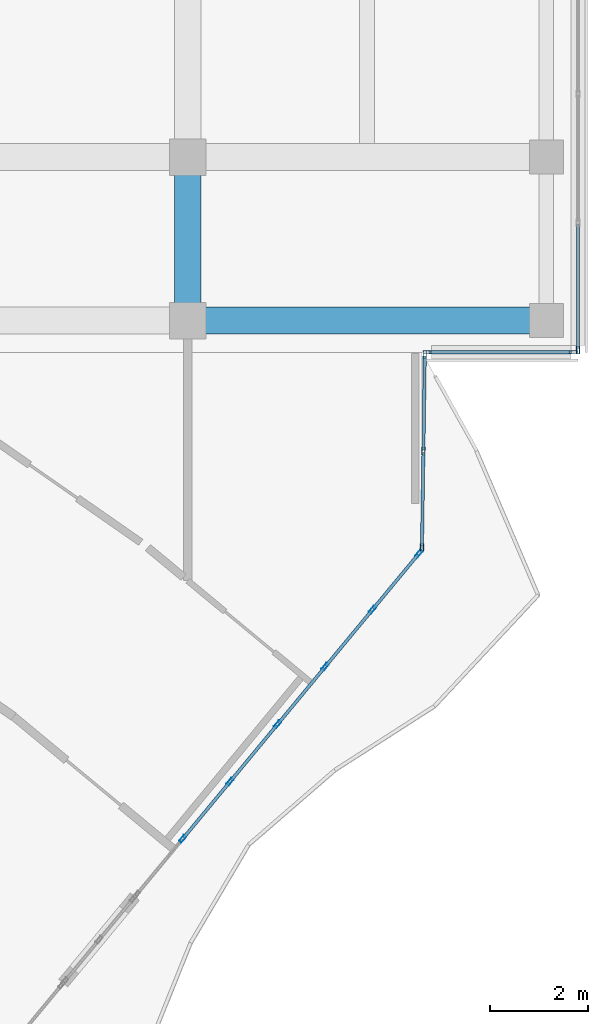
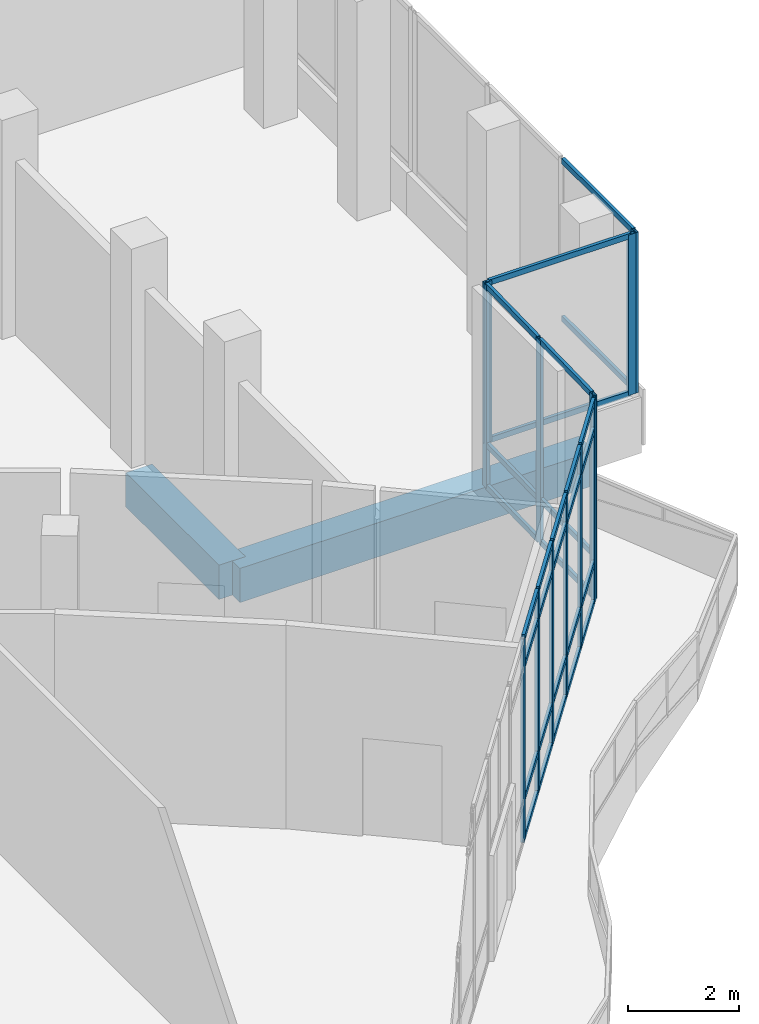
# One storey, part 100 of 155: 42 members, 2 beams, 4 elements without a shape of their own.
"""IFC4 building model written with IfcOpenShell, lengths in metres."""

from ifc_helpers import new_model, si_unit, direction, frame, origin, origin_2d, place, context, subcontext, project, spatial, rectangle, hollow_rectangle, extrude, material, material_profile, profile_set, type_object, element, aggregate, save


model = new_model("IFC4")

# Units and contexts
model_context = context("Model", 3, precision=1e-05, world=origin(), true_north=direction((0.0, 1.0)))
body_context = subcontext(model_context, "Body", "Model", "MODEL_VIEW")
ifc_project = project(units=[si_unit("LENGTHUNIT", "METRE"), si_unit("AREAUNIT", "SQUARE_METRE"), si_unit("VOLUMEUNIT", "CUBIC_METRE"), si_unit("PLANEANGLEUNIT", "RADIAN"), si_unit("MASSUNIT", "GRAM", prefix="KILO")], contexts=[model_context])

# Site, building, storey
site_placement = place(None, origin())
site = spatial("IfcSite", under=ifc_project, at=site_placement, CompositionType="ELEMENT")
building_placement = place(site_placement, origin())
building = spatial("IfcBuilding", under=site, at=building_placement, Name="Selatvlak General Hospital", CompositionType="ELEMENT")
storey_placement = place(building_placement, frame((0.0, 0.0, 10.199951171875)))
storey = spatial("IfcBuildingStorey", under=building, at=storey_placement, Name="L02", CompositionType="ELEMENT", Elevation=10.199951171875)

# Beams
ifc_material_1 = material(Name="Concrete C40/50", Category="concrete")
ifc_material_profile_1 = material_profile(ifc_material_1, rectangle(XDim=0.550048828125, YDim=0.75, at=origin_2d()), Name="RC-BM 550x750")
ifc_profile_set_1 = profile_set([ifc_material_profile_1], Name="Concrete C40/50")
beam_type = type_object("IfcBeamType", Name="BM-G02", PredefinedType="BEAM", material=ifc_profile_set_1)
beam_1_placement = place(storey_placement, frame((174.0, 64.64990234375, -0.72998046875), z_axis=(1.0, 0.0, 0.0), x_axis=(0.0, 1.0, 0.0)))
element("IfcBeam", 1, at=beam_1_placement, inside=storey, type_object=beam_type, Name="Beam BMR-L02-0776", PredefinedType="BEAM", context=body_context, shape_type="SweptSolid", body=[
    extrude(rectangle(XDim=0.550048828125, YDim=0.75, at=origin_2d()), origin(), (0.0, 0.0, 1.0), 7.35009765625),
])
beam_2_placement = place(storey_placement, frame((174.0, 64.64990234375, -0.72998046875), z_axis=(0.0, 1.0, 0.0), x_axis=(-1.0, 0.0, 0.0)))
element("IfcBeam", 2, at=beam_2_placement, inside=storey, type_object=beam_type, Name="Beam BMR-L02-1061", PredefinedType="BEAM", context=body_context, shape_type="SweptSolid", body=[
    extrude(rectangle(XDim=0.550048828125, YDim=0.75, at=origin_2d()), origin(), (0.0, 0.0, 1.0), 3.35009765625),
])

# Curtain wall, member
ifc_material_2 = material(Name="Solar-control Low-E double glazing", Category="glass")
curtain_wall_type_1 = type_object("IfcCurtainWallType", Name="CW-CW-02", PredefinedType="USERDEFINED", material=ifc_material_2)
curtain_wall_1_placement = place(storey_placement, origin())
curtain_wall_1 = element("IfcCurtainWall", 3, at=curtain_wall_1_placement, inside=storey, type_object=curtain_wall_type_1, Name="Glazed facade curtain wall CW-L02-0269", ObjectType="UNITISED CURTAIN WALL", PredefinedType="USERDEFINED")
ifc_material_3 = material(Name="Dark anodised aluminium mullion", Category="aluminium")
ifc_material_profile_2 = material_profile(ifc_material_3, hollow_rectangle(XDim=0.06494140625, YDim=0.159912109375, WallThickness=0.00390625, at=origin_2d()), Name="AL-MUL 65x160x4")
ifc_profile_set_2 = profile_set([ifc_material_profile_2], Name="Dark anodised aluminium mullion")
member_type_1 = type_object("IfcMemberType", Name="CWM-01", PredefinedType="MULLION", material=ifc_profile_set_2)
member_1_placement = place(storey_placement, frame((182.0, 64.048583984375, 0.93994140625), z_axis=(0.0, 0.0, 1.0), x_axis=(1.0, 0.0, 0.0)))
member_1 = element("IfcMember", 4, at=member_1_placement, type_object=member_type_1, Name="CW-02 mullion 4", PredefinedType="MULLION", context=body_context, shape_type="SweptSolid", body=[
    extrude(hollow_rectangle(XDim=0.06494140625, YDim=0.159912109375, WallThickness=0.00390625, at=origin_2d()), origin(), (0.0, 0.0, 1.0), 3.52001953125),
])

# Curtain wall, members
curtain_wall_2_placement = place(storey_placement, origin())
curtain_wall_2 = element("IfcCurtainWall", 5, at=curtain_wall_2_placement, inside=storey, type_object=curtain_wall_type_1, Name="Glazed facade curtain wall CW-L02-0270", ObjectType="UNITISED CURTAIN WALL", PredefinedType="USERDEFINED")
member_2_placement = place(storey_placement, frame((181.902587890625, 64.0009765625, 0.93994140625), z_axis=(0.0, 0.0, 1.0), x_axis=(0.000326797363, -0.999999946602, 0.0)))
member_2 = element("IfcMember", 6, at=member_2_placement, type_object=member_type_1, Name="CW-02 mullion 1", PredefinedType="MULLION", context=body_context, shape_type="SweptSolid", body=[
    extrude(hollow_rectangle(XDim=0.06494140625, YDim=0.159912109375, WallThickness=0.00390625, at=origin_2d()), origin(), (0.0, 0.0, 1.0), 3.52001953125),
])
member_3_placement = place(storey_placement, frame((178.907470703125, 64.0, 0.93994140625), z_axis=(0.0, 0.0, 1.0), x_axis=(0.000326797363, -0.999999946602, 0.0)))
member_3 = element("IfcMember", 7, at=member_3_placement, type_object=member_type_1, Name="CW-02 mullion 2", PredefinedType="MULLION", context=body_context, shape_type="SweptSolid", body=[
    extrude(hollow_rectangle(XDim=0.06494140625, YDim=0.159912109375, WallThickness=0.00390625, at=origin_2d()), origin(), (0.0, 0.0, 1.0), 3.52001953125),
])

curtain_wall_type_2 = type_object("IfcCurtainWallType", Name="CW-CW-01", PredefinedType="USERDEFINED", material=ifc_material_2)
curtain_wall_3_placement = place(storey_placement, origin())
curtain_wall_3 = element("IfcCurtainWall", 8, at=curtain_wall_3_placement, inside=storey, type_object=curtain_wall_type_2, Name="Glazed facade curtain wall CW-L02-0271", ObjectType="UNITISED CURTAIN WALL", PredefinedType="USERDEFINED")
member_4_placement = place(storey_placement, frame((178.859619140625, 63.952392578125, 0.0), z_axis=(0.0, 0.0, 1.0), x_axis=(0.999888635224, -0.014923710969, 0.0)))
member_4 = element("IfcMember", 9, at=member_4_placement, type_object=member_type_1, Name="CW-01 mullion 1", PredefinedType="MULLION", context=body_context, shape_type="SweptSolid", body=[
    extrude(hollow_rectangle(XDim=0.06494140625, YDim=0.159912109375, WallThickness=0.00390625, at=origin_2d()), origin(), (0.0, 0.0, 1.0), 4.4599609375),
])
member_5_placement = place(storey_placement, frame((178.830078125, 61.97509765625, 0.0), z_axis=(0.0, 0.0, 1.0), x_axis=(0.999888635224, -0.014923710969, 0.0)))
member_5 = element("IfcMember", 10, at=member_5_placement, type_object=member_type_1, Name="CW-01 mullion 2", PredefinedType="MULLION", context=body_context, shape_type="SweptSolid", body=[
    extrude(hollow_rectangle(XDim=0.06494140625, YDim=0.159912109375, WallThickness=0.00390625, at=origin_2d()), origin(), (0.0, 0.0, 1.0), 4.4599609375),
])
member_6_placement = place(storey_placement, frame((178.800537109375, 59.99755859375, 0.0), z_axis=(0.0, 0.0, 1.0), x_axis=(0.999888635224, -0.014923710969, 0.0)))
member_6 = element("IfcMember", 11, at=member_6_placement, type_object=member_type_1, Name="CW-01 mullion 3", PredefinedType="MULLION", context=body_context, shape_type="SweptSolid", body=[
    extrude(hollow_rectangle(XDim=0.06494140625, YDim=0.159912109375, WallThickness=0.00390625, at=origin_2d()), origin(), (0.0, 0.0, 1.0), 4.4599609375),
])

curtain_wall_4_placement = place(storey_placement, origin())
curtain_wall_4 = element("IfcCurtainWall", 12, at=curtain_wall_4_placement, inside=storey, type_object=curtain_wall_type_2, Name="Glazed facade curtain wall CW-L02-0273", ObjectType="UNITISED CURTAIN WALL", PredefinedType="USERDEFINED")
member_7_placement = place(storey_placement, frame((178.7373046875, 59.8740234375, 0.0), z_axis=(0.0, 0.0, 1.0), x_axis=(0.770251713592, -0.637739992245, 0.0)))
member_7 = element("IfcMember", 13, at=member_7_placement, type_object=member_type_1, Name="CW-01 mullion 1", PredefinedType="MULLION", context=body_context, shape_type="SweptSolid", body=[
    extrude(hollow_rectangle(XDim=0.06494140625, YDim=0.159912109375, WallThickness=0.00390625, at=origin_2d()), origin(), (0.0, 0.0, 1.0), 4.4599609375),
])
member_8_placement = place(storey_placement, frame((177.785888671875, 58.724853515625, 0.0), z_axis=(0.0, 0.0, 1.0), x_axis=(0.770251713592, -0.637739992245, 0.0)))
member_8 = element("IfcMember", 14, at=member_8_placement, type_object=member_type_1, Name="CW-01 mullion 2", PredefinedType="MULLION", context=body_context, shape_type="SweptSolid", body=[
    extrude(hollow_rectangle(XDim=0.06494140625, YDim=0.159912109375, WallThickness=0.00390625, at=origin_2d()), origin(), (0.0, 0.0, 1.0), 4.4599609375),
])
member_9_placement = place(storey_placement, frame((176.813720703125, 57.55078125, 0.0), z_axis=(0.0, 0.0, 1.0), x_axis=(0.770251713592, -0.637739992245, 0.0)))
member_9 = element("IfcMember", 15, at=member_9_placement, type_object=member_type_1, Name="CW-01 mullion 3", PredefinedType="MULLION", context=body_context, shape_type="SweptSolid", body=[
    extrude(hollow_rectangle(XDim=0.06494140625, YDim=0.159912109375, WallThickness=0.00390625, at=origin_2d()), origin(), (0.0, 0.0, 1.0), 4.4599609375),
])
member_10_placement = place(storey_placement, frame((175.841552734375, 56.37646484375, 0.0), z_axis=(0.0, 0.0, 1.0), x_axis=(0.770251713592, -0.637739992245, 0.0)))
member_10 = element("IfcMember", 16, at=member_10_placement, type_object=member_type_1, Name="CW-01 mullion 4", PredefinedType="MULLION", context=body_context, shape_type="SweptSolid", body=[
    extrude(hollow_rectangle(XDim=0.06494140625, YDim=0.159912109375, WallThickness=0.00390625, at=origin_2d()), origin(), (0.0, 0.0, 1.0), 4.4599609375),
])
member_11_placement = place(storey_placement, frame((174.869384765625, 55.202392578125, 0.0), z_axis=(0.0, 0.0, 1.0), x_axis=(0.770251713592, -0.637739992245, 0.0)))
member_11 = element("IfcMember", 17, at=member_11_placement, type_object=member_type_1, Name="CW-01 mullion 5", PredefinedType="MULLION", context=body_context, shape_type="SweptSolid", body=[
    extrude(hollow_rectangle(XDim=0.06494140625, YDim=0.159912109375, WallThickness=0.00390625, at=origin_2d()), origin(), (0.0, 0.0, 1.0), 4.4599609375),
])
member_12_placement = place(storey_placement, frame((173.897216796875, 54.028076171875, 0.0), z_axis=(0.0, 0.0, 1.0), x_axis=(0.770251713592, -0.637739992245, 0.0)))
member_12 = element("IfcMember", 18, at=member_12_placement, type_object=member_type_1, Name="CW-01 mullion 6", PredefinedType="MULLION", context=body_context, shape_type="SweptSolid", body=[
    extrude(hollow_rectangle(XDim=0.06494140625, YDim=0.159912109375, WallThickness=0.00390625, at=origin_2d()), origin(), (0.0, 0.0, 1.0), 4.4599609375),
])

# Member
ifc_material_profile_3 = material_profile(ifc_material_3, hollow_rectangle(XDim=0.06494140625, YDim=0.1201171875, WallThickness=0.00390625, at=origin_2d()), Name="AL-TRN 65x120x4")
ifc_profile_set_3 = profile_set([ifc_material_profile_3], Name="Dark anodised aluminium mullion")
member_type_2 = type_object("IfcMemberType", Name="CWT-01", PredefinedType="USERDEFINED", material=ifc_profile_set_3)
member_13_placement = place(storey_placement, frame((182.0, 66.62353515625, 0.97265625), z_axis=(0.0, -1.0, 0.0), x_axis=(1.0, 0.0, 0.0)))
member_13 = element("IfcMember", 19, at=member_13_placement, type_object=member_type_2, Name="CW-02 transom 3.1", ObjectType="TRANSOM", PredefinedType="USERDEFINED", context=body_context, shape_type="SweptSolid", body=[
    extrude(hollow_rectangle(XDim=0.06494140625, YDim=0.1201171875, WallThickness=0.00390625, at=origin_2d()), origin(), (0.0, 0.0, 1.0), 2.54248046875),
])

member_14_placement = place(storey_placement, frame((182.0, 66.62353515625, 4.427490234375), z_axis=(0.0, -1.0, 0.0), x_axis=(1.0, 0.0, 0.0)))
member_14 = element("IfcMember", 20, at=member_14_placement, type_object=member_type_2, Name="CW-02 transom 3.2", ObjectType="TRANSOM", PredefinedType="USERDEFINED", context=body_context, shape_type="SweptSolid", body=[
    extrude(hollow_rectangle(XDim=0.06494140625, YDim=0.1201171875, WallThickness=0.00390625, at=origin_2d()), origin(), (0.0, 0.0, 1.0), 2.54248046875),
])

aggregate(curtain_wall_1, [member_1, member_13, member_14])

member_15_placement = place(storey_placement, frame((181.8701171875, 64.0009765625, 0.97265625), z_axis=(-0.999999944463, -0.000333277769, 0.0), x_axis=(0.000333277769, -0.999999944463, 0.0)))
member_15 = element("IfcMember", 21, at=member_15_placement, type_object=member_type_2, Name="CW-02 transom 1.1", ObjectType="TRANSOM", PredefinedType="USERDEFINED", context=body_context, shape_type="SweptSolid", body=[
    extrude(hollow_rectangle(XDim=0.06494140625, YDim=0.1201171875, WallThickness=0.00390625, at=origin_2d()), origin(), (0.0, 0.0, 1.0), 2.93017578125),
])

member_16_placement = place(storey_placement, frame((181.8701171875, 64.0009765625, 4.427490234375), z_axis=(-0.999999944463, -0.000333277769, 0.0), x_axis=(0.000333277769, -0.999999944463, 0.0)))
member_16 = element("IfcMember", 22, at=member_16_placement, type_object=member_type_2, Name="CW-02 transom 1.2", ObjectType="TRANSOM", PredefinedType="USERDEFINED", context=body_context, shape_type="SweptSolid", body=[
    extrude(hollow_rectangle(XDim=0.06494140625, YDim=0.1201171875, WallThickness=0.00390625, at=origin_2d()), origin(), (0.0, 0.0, 1.0), 2.93017578125),
])

aggregate(curtain_wall_2, [member_2, member_3, member_15, member_16])

member_17_placement = place(storey_placement, frame((178.859130859375, 63.919921875, 0.032470703125), z_axis=(-0.014935139839, -0.999888464579, 0.0), x_axis=(0.999888464579, -0.014935139839, 0.0)))
member_17 = element("IfcMember", 23, at=member_17_placement, type_object=member_type_2, Name="CW-01 transom 1.1", ObjectType="TRANSOM", PredefinedType="USERDEFINED", context=body_context, shape_type="SweptSolid", body=[
    extrude(hollow_rectangle(XDim=0.06494140625, YDim=0.1201171875, WallThickness=0.00390625, at=origin_2d()), origin(), (0.0, 0.0, 1.0), 1.91259765625),
])

member_18_placement = place(storey_placement, frame((178.859130859375, 63.919921875, 0.949951171875), z_axis=(-0.014935139839, -0.999888464579, 0.0), x_axis=(0.999888464579, -0.014935139839, 0.0)))
member_18 = element("IfcMember", 24, at=member_18_placement, type_object=member_type_2, Name="CW-01 transom 1.2", ObjectType="TRANSOM", PredefinedType="USERDEFINED", context=body_context, shape_type="SweptSolid", body=[
    extrude(hollow_rectangle(XDim=0.06494140625, YDim=0.1201171875, WallThickness=0.00390625, at=origin_2d()), origin(), (0.0, 0.0, 1.0), 1.91259765625),
])

member_19_placement = place(storey_placement, frame((178.859130859375, 63.919921875, 4.427490234375), z_axis=(-0.014935139839, -0.999888464579, 0.0), x_axis=(0.999888464579, -0.014935139839, 0.0)))
member_19 = element("IfcMember", 25, at=member_19_placement, type_object=member_type_2, Name="CW-01 transom 1.3", ObjectType="TRANSOM", PredefinedType="USERDEFINED", context=body_context, shape_type="SweptSolid", body=[
    extrude(hollow_rectangle(XDim=0.06494140625, YDim=0.1201171875, WallThickness=0.00390625, at=origin_2d()), origin(), (0.0, 0.0, 1.0), 1.91259765625),
])

member_20_placement = place(storey_placement, frame((178.82958984375, 61.9423828125, 0.032470703125), z_axis=(-0.014935139839, -0.999888464579, 0.0), x_axis=(0.999888464579, -0.014935139839, 0.0)))
member_20 = element("IfcMember", 26, at=member_20_placement, type_object=member_type_2, Name="CW-01 transom 2.1", ObjectType="TRANSOM", PredefinedType="USERDEFINED", context=body_context, shape_type="SweptSolid", body=[
    extrude(hollow_rectangle(XDim=0.06494140625, YDim=0.1201171875, WallThickness=0.00390625, at=origin_2d()), origin(), (0.0, 0.0, 1.0), 1.91259765625),
])

member_21_placement = place(storey_placement, frame((178.82958984375, 61.9423828125, 0.949951171875), z_axis=(-0.014935139839, -0.999888464579, 0.0), x_axis=(0.999888464579, -0.014935139839, 0.0)))
member_21 = element("IfcMember", 27, at=member_21_placement, type_object=member_type_2, Name="CW-01 transom 2.2", ObjectType="TRANSOM", PredefinedType="USERDEFINED", context=body_context, shape_type="SweptSolid", body=[
    extrude(hollow_rectangle(XDim=0.06494140625, YDim=0.1201171875, WallThickness=0.00390625, at=origin_2d()), origin(), (0.0, 0.0, 1.0), 1.91259765625),
])

member_22_placement = place(storey_placement, frame((178.82958984375, 61.9423828125, 4.427490234375), z_axis=(-0.014935139839, -0.999888464579, 0.0), x_axis=(0.999888464579, -0.014935139839, 0.0)))
member_22 = element("IfcMember", 28, at=member_22_placement, type_object=member_type_2, Name="CW-01 transom 2.3", ObjectType="TRANSOM", PredefinedType="USERDEFINED", context=body_context, shape_type="SweptSolid", body=[
    extrude(hollow_rectangle(XDim=0.06494140625, YDim=0.1201171875, WallThickness=0.00390625, at=origin_2d()), origin(), (0.0, 0.0, 1.0), 1.91259765625),
])

aggregate(curtain_wall_3, [member_4, member_5, member_6, member_17, member_18, member_19, member_20, member_21, member_22])

member_23_placement = place(storey_placement, frame((178.716552734375, 59.848876953125, 0.032470703125), z_axis=(-0.637690265355, -0.770292882916, 0.0), x_axis=(0.770292882916, -0.637690265355, 0.0)))
member_23 = element("IfcMember", 29, at=member_23_placement, type_object=member_type_2, Name="CW-01 transom 1.1", ObjectType="TRANSOM", PredefinedType="USERDEFINED", context=body_context, shape_type="SweptSolid", body=[
    extrude(hollow_rectangle(XDim=0.06494140625, YDim=0.1201171875, WallThickness=0.00390625, at=origin_2d()), origin(), (0.0, 0.0, 1.0), 1.427001953125),
])

member_24_placement = place(storey_placement, frame((178.716552734375, 59.848876953125, 0.900146484375), z_axis=(-0.637690265355, -0.770292882916, 0.0), x_axis=(0.770292882916, -0.637690265355, 0.0)))
member_24 = element("IfcMember", 30, at=member_24_placement, type_object=member_type_2, Name="CW-01 transom 1.2", ObjectType="TRANSOM", PredefinedType="USERDEFINED", context=body_context, shape_type="SweptSolid", body=[
    extrude(hollow_rectangle(XDim=0.06494140625, YDim=0.1201171875, WallThickness=0.00390625, at=origin_2d()), origin(), (0.0, 0.0, 1.0), 1.427001953125),
])

member_25_placement = place(storey_placement, frame((178.716552734375, 59.848876953125, 3.81005859375), z_axis=(-0.637690265355, -0.770292882916, 0.0), x_axis=(0.770292882916, -0.637690265355, 0.0)))
member_25 = element("IfcMember", 31, at=member_25_placement, type_object=member_type_2, Name="CW-01 transom 1.3", ObjectType="TRANSOM", PredefinedType="USERDEFINED", context=body_context, shape_type="SweptSolid", body=[
    extrude(hollow_rectangle(XDim=0.06494140625, YDim=0.1201171875, WallThickness=0.00390625, at=origin_2d()), origin(), (0.0, 0.0, 1.0), 1.427001953125),
])

member_26_placement = place(storey_placement, frame((178.716552734375, 59.848876953125, 4.427490234375), z_axis=(-0.637690265355, -0.770292882916, 0.0), x_axis=(0.770292882916, -0.637690265355, 0.0)))
member_26 = element("IfcMember", 32, at=member_26_placement, type_object=member_type_2, Name="CW-01 transom 1.4", ObjectType="TRANSOM", PredefinedType="USERDEFINED", context=body_context, shape_type="SweptSolid", body=[
    extrude(hollow_rectangle(XDim=0.06494140625, YDim=0.1201171875, WallThickness=0.00390625, at=origin_2d()), origin(), (0.0, 0.0, 1.0), 1.427001953125),
])

member_27_placement = place(storey_placement, frame((177.76513671875, 58.69970703125, 0.032470703125), z_axis=(-0.637745740525, -0.770246954192, 0.0), x_axis=(0.770246954192, -0.637745740525, 0.0)))
member_27 = element("IfcMember", 33, at=member_27_placement, type_object=member_type_2, Name="CW-01 transom 2.1", ObjectType="TRANSOM", PredefinedType="USERDEFINED", context=body_context, shape_type="SweptSolid", body=[
    extrude(hollow_rectangle(XDim=0.06494140625, YDim=0.1201171875, WallThickness=0.00390625, at=origin_2d()), origin(), (0.0, 0.0, 1.0), 1.459228515625),
])

member_28_placement = place(storey_placement, frame((177.76513671875, 58.69970703125, 0.900146484375), z_axis=(-0.637745740525, -0.770246954192, 0.0), x_axis=(0.770246954192, -0.637745740525, 0.0)))
member_28 = element("IfcMember", 34, at=member_28_placement, type_object=member_type_2, Name="CW-01 transom 2.2", ObjectType="TRANSOM", PredefinedType="USERDEFINED", context=body_context, shape_type="SweptSolid", body=[
    extrude(hollow_rectangle(XDim=0.06494140625, YDim=0.1201171875, WallThickness=0.00390625, at=origin_2d()), origin(), (0.0, 0.0, 1.0), 1.459228515625),
])

member_29_placement = place(storey_placement, frame((177.76513671875, 58.69970703125, 3.81005859375), z_axis=(-0.637745740525, -0.770246954192, 0.0), x_axis=(0.770246954192, -0.637745740525, 0.0)))
member_29 = element("IfcMember", 35, at=member_29_placement, type_object=member_type_2, Name="CW-01 transom 2.3", ObjectType="TRANSOM", PredefinedType="USERDEFINED", context=body_context, shape_type="SweptSolid", body=[
    extrude(hollow_rectangle(XDim=0.06494140625, YDim=0.1201171875, WallThickness=0.00390625, at=origin_2d()), origin(), (0.0, 0.0, 1.0), 1.459228515625),
])

member_30_placement = place(storey_placement, frame((177.76513671875, 58.69970703125, 4.427490234375), z_axis=(-0.637745740525, -0.770246954192, 0.0), x_axis=(0.770246954192, -0.637745740525, 0.0)))
member_30 = element("IfcMember", 36, at=member_30_placement, type_object=member_type_2, Name="CW-01 transom 2.4", ObjectType="TRANSOM", PredefinedType="USERDEFINED", context=body_context, shape_type="SweptSolid", body=[
    extrude(hollow_rectangle(XDim=0.06494140625, YDim=0.1201171875, WallThickness=0.00390625, at=origin_2d()), origin(), (0.0, 0.0, 1.0), 1.459228515625),
])

member_31_placement = place(storey_placement, frame((176.79296875, 57.525634765625, 0.032470703125), z_axis=(-0.637745740525, -0.770246954192, 0.0), x_axis=(0.770246954192, -0.637745740525, 0.0)))
member_31 = element("IfcMember", 37, at=member_31_placement, type_object=member_type_2, Name="CW-01 transom 3.1", ObjectType="TRANSOM", PredefinedType="USERDEFINED", context=body_context, shape_type="SweptSolid", body=[
    extrude(hollow_rectangle(XDim=0.06494140625, YDim=0.1201171875, WallThickness=0.00390625, at=origin_2d()), origin(), (0.0, 0.0, 1.0), 1.459228515625),
])

member_32_placement = place(storey_placement, frame((176.79296875, 57.525634765625, 0.900146484375), z_axis=(-0.637745740525, -0.770246954192, 0.0), x_axis=(0.770246954192, -0.637745740525, 0.0)))
member_32 = element("IfcMember", 38, at=member_32_placement, type_object=member_type_2, Name="CW-01 transom 3.2", ObjectType="TRANSOM", PredefinedType="USERDEFINED", context=body_context, shape_type="SweptSolid", body=[
    extrude(hollow_rectangle(XDim=0.06494140625, YDim=0.1201171875, WallThickness=0.00390625, at=origin_2d()), origin(), (0.0, 0.0, 1.0), 1.459228515625),
])

member_33_placement = place(storey_placement, frame((176.79296875, 57.525634765625, 3.81005859375), z_axis=(-0.637745740525, -0.770246954192, 0.0), x_axis=(0.770246954192, -0.637745740525, 0.0)))
member_33 = element("IfcMember", 39, at=member_33_placement, type_object=member_type_2, Name="CW-01 transom 3.3", ObjectType="TRANSOM", PredefinedType="USERDEFINED", context=body_context, shape_type="SweptSolid", body=[
    extrude(hollow_rectangle(XDim=0.06494140625, YDim=0.1201171875, WallThickness=0.00390625, at=origin_2d()), origin(), (0.0, 0.0, 1.0), 1.459228515625),
])

member_34_placement = place(storey_placement, frame((176.79296875, 57.525634765625, 4.427490234375), z_axis=(-0.637745740525, -0.770246954192, 0.0), x_axis=(0.770246954192, -0.637745740525, 0.0)))
member_34 = element("IfcMember", 40, at=member_34_placement, type_object=member_type_2, Name="CW-01 transom 3.4", ObjectType="TRANSOM", PredefinedType="USERDEFINED", context=body_context, shape_type="SweptSolid", body=[
    extrude(hollow_rectangle(XDim=0.06494140625, YDim=0.1201171875, WallThickness=0.00390625, at=origin_2d()), origin(), (0.0, 0.0, 1.0), 1.459228515625),
])

member_35_placement = place(storey_placement, frame((175.82080078125, 56.3515625, 0.032470703125), z_axis=(-0.637663566332, -0.770314985037, 0.0), x_axis=(0.770314985037, -0.637663566332, 0.0)))
member_35 = element("IfcMember", 41, at=member_35_placement, type_object=member_type_2, Name="CW-01 transom 4.1", ObjectType="TRANSOM", PredefinedType="USERDEFINED", context=body_context, shape_type="SweptSolid", body=[
    extrude(hollow_rectangle(XDim=0.06494140625, YDim=0.1201171875, WallThickness=0.00390625, at=origin_2d()), origin(), (0.0, 0.0, 1.0), 1.45947265625),
])

member_36_placement = place(storey_placement, frame((175.82080078125, 56.3515625, 0.900146484375), z_axis=(-0.637663566332, -0.770314985037, 0.0), x_axis=(0.770314985037, -0.637663566332, 0.0)))
member_36 = element("IfcMember", 42, at=member_36_placement, type_object=member_type_2, Name="CW-01 transom 4.2", ObjectType="TRANSOM", PredefinedType="USERDEFINED", context=body_context, shape_type="SweptSolid", body=[
    extrude(hollow_rectangle(XDim=0.06494140625, YDim=0.1201171875, WallThickness=0.00390625, at=origin_2d()), origin(), (0.0, 0.0, 1.0), 1.45947265625),
])

member_37_placement = place(storey_placement, frame((175.82080078125, 56.3515625, 3.81005859375), z_axis=(-0.637663566332, -0.770314985037, 0.0), x_axis=(0.770314985037, -0.637663566332, 0.0)))
member_37 = element("IfcMember", 43, at=member_37_placement, type_object=member_type_2, Name="CW-01 transom 4.3", ObjectType="TRANSOM", PredefinedType="USERDEFINED", context=body_context, shape_type="SweptSolid", body=[
    extrude(hollow_rectangle(XDim=0.06494140625, YDim=0.1201171875, WallThickness=0.00390625, at=origin_2d()), origin(), (0.0, 0.0, 1.0), 1.45947265625),
])

member_38_placement = place(storey_placement, frame((175.82080078125, 56.3515625, 4.427490234375), z_axis=(-0.637663566332, -0.770314985037, 0.0), x_axis=(0.770314985037, -0.637663566332, 0.0)))
member_38 = element("IfcMember", 44, at=member_38_placement, type_object=member_type_2, Name="CW-01 transom 4.4", ObjectType="TRANSOM", PredefinedType="USERDEFINED", context=body_context, shape_type="SweptSolid", body=[
    extrude(hollow_rectangle(XDim=0.06494140625, YDim=0.1201171875, WallThickness=0.00390625, at=origin_2d()), origin(), (0.0, 0.0, 1.0), 1.45947265625),
])

member_39_placement = place(storey_placement, frame((174.8486328125, 55.17724609375, 0.032470703125), z_axis=(-0.637745740525, -0.770246954192, 0.0), x_axis=(0.770246954192, -0.637745740525, 0.0)))
member_39 = element("IfcMember", 45, at=member_39_placement, type_object=member_type_2, Name="CW-01 transom 5.1", ObjectType="TRANSOM", PredefinedType="USERDEFINED", context=body_context, shape_type="SweptSolid", body=[
    extrude(hollow_rectangle(XDim=0.06494140625, YDim=0.1201171875, WallThickness=0.00390625, at=origin_2d()), origin(), (0.0, 0.0, 1.0), 1.459228515625),
])

member_40_placement = place(storey_placement, frame((174.8486328125, 55.17724609375, 0.900146484375), z_axis=(-0.637745740525, -0.770246954192, 0.0), x_axis=(0.770246954192, -0.637745740525, 0.0)))
member_40 = element("IfcMember", 46, at=member_40_placement, type_object=member_type_2, Name="CW-01 transom 5.2", ObjectType="TRANSOM", PredefinedType="USERDEFINED", context=body_context, shape_type="SweptSolid", body=[
    extrude(hollow_rectangle(XDim=0.06494140625, YDim=0.1201171875, WallThickness=0.00390625, at=origin_2d()), origin(), (0.0, 0.0, 1.0), 1.459228515625),
])

member_41_placement = place(storey_placement, frame((174.8486328125, 55.17724609375, 3.81005859375), z_axis=(-0.637745740525, -0.770246954192, 0.0), x_axis=(0.770246954192, -0.637745740525, 0.0)))
member_41 = element("IfcMember", 47, at=member_41_placement, type_object=member_type_2, Name="CW-01 transom 5.3", ObjectType="TRANSOM", PredefinedType="USERDEFINED", context=body_context, shape_type="SweptSolid", body=[
    extrude(hollow_rectangle(XDim=0.06494140625, YDim=0.1201171875, WallThickness=0.00390625, at=origin_2d()), origin(), (0.0, 0.0, 1.0), 1.459228515625),
])

member_42_placement = place(storey_placement, frame((174.8486328125, 55.17724609375, 4.427490234375), z_axis=(-0.637745740525, -0.770246954192, 0.0), x_axis=(0.770246954192, -0.637745740525, 0.0)))
member_42 = element("IfcMember", 48, at=member_42_placement, type_object=member_type_2, Name="CW-01 transom 5.4", ObjectType="TRANSOM", PredefinedType="USERDEFINED", context=body_context, shape_type="SweptSolid", body=[
    extrude(hollow_rectangle(XDim=0.06494140625, YDim=0.1201171875, WallThickness=0.00390625, at=origin_2d()), origin(), (0.0, 0.0, 1.0), 1.459228515625),
])

aggregate(curtain_wall_4, [member_7, member_8, member_9, member_10, member_11, member_12, member_23, member_24, member_25, member_26, member_27, member_28, member_29, member_30, member_31, member_32, member_33, member_34, member_35, member_36, member_37, member_38, member_39, member_40, member_41, member_42])

save(model, "model.ifc")
